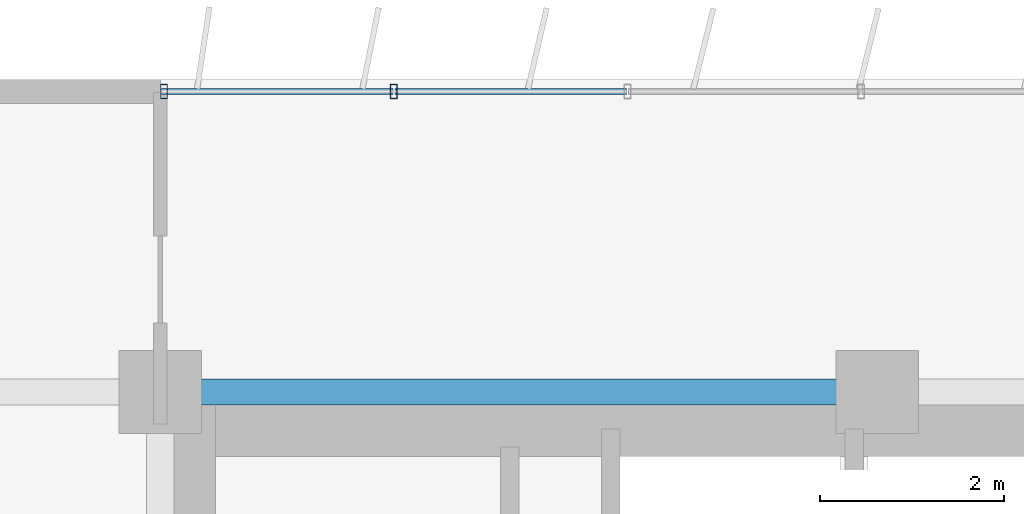
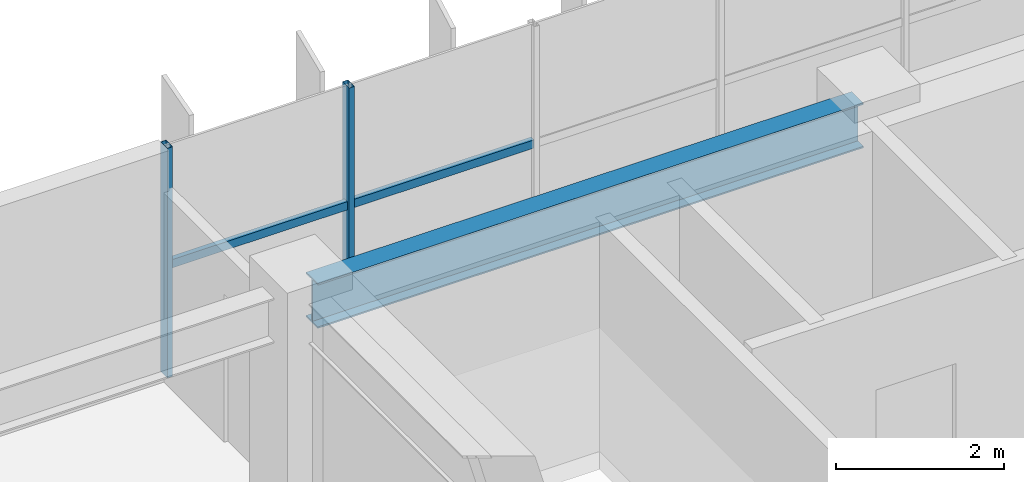
# One storey, part 5 of 21: 4 members, 1 beam, 1 element without a shape of its own.
"""IFC4 building model written with IfcOpenShell, lengths in metres."""

import ifcopenshell
import ifcopenshell.guid

model = None  # the IFC model being written
_history = None  # IfcOwnerHistory: only IFC2X3 demands one
_inside = {}  # id of a spatial element -> (the spatial element, [elements in it])
_under = {}  # id of a project, library or spatial element -> (it, [spatial elements below it])
_declared = {}  # id of a project -> (the project, [libraries it declares])
_typed = {}  # id of a type object -> (the type object, [elements of that type])
_made_of = {}  # id of a material, layer set ... -> (it, [elements and type objects made of it])


def new_model(schema):
    """Start an empty IFC model of exactly this schema.

    Asked for "IFC4X3", IfcOpenShell would pick the latest addendum, in which some entities
    have other attributes; the version numbers below select the first issue.
    IFC2X3 requires an IfcOwnerHistory on every rooted entity: one is made here for all.
    """
    global model, _history
    if schema == "IFC4X3":
        model = ifcopenshell.file(schema_version=(4, 3, 0, 0))
    else:
        model = ifcopenshell.file(schema=schema)
    _inside.clear()
    _under.clear()
    _declared.clear()
    _typed.clear()
    _made_of.clear()
    _history = None
    if model.schema == "IFC2X3":
        org = make("IfcOrganization", Name="unknown")
        user = make(
            "IfcPersonAndOrganization",
            ThePerson=make("IfcPerson", FamilyName="unknown"),
            TheOrganization=org,
        )
        app = make(
            "IfcApplication",
            ApplicationDeveloper=org,
            Version="unknown",
            ApplicationFullName="unknown",
            ApplicationIdentifier="unknown",
        )
        _history = make(
            "IfcOwnerHistory",
            OwningUser=user,
            OwningApplication=app,
            ChangeAction="ADDED",
            CreationDate=0,
        )
    return model


def make(cls, **values):
    """One entity of the class cls with the attributes given. An attribute that is None is left unset."""
    return model.create_entity(
        cls, **{name: value for name, value in values.items() if value is not None}
    )


def rooted(cls, **values):
    """An entity with a GlobalId (a new one), such as an element, a storey or a relation."""
    return make(cls, GlobalId=ifcopenshell.guid.new(), OwnerHistory=_history, **values)


def si_unit(unit_type, name, prefix=None):
    """IfcSIUnit, for example si_unit("LENGTHUNIT", "METRE", prefix="MILLI")."""
    return make("IfcSIUnit", UnitType=unit_type, Prefix=prefix, Name=name)


def assignment(units):
    """IfcUnitAssignment: the units of a project."""
    return None if units is None else make("IfcUnitAssignment", Units=units)


def point(xyz):
    """IfcCartesianPoint."""
    return None if xyz is None else make("IfcCartesianPoint", Coordinates=xyz)


def direction(xyz):
    """IfcDirection."""
    return None if xyz is None else make("IfcDirection", DirectionRatios=xyz)


def frame(location, z_axis=None, x_axis=None):
    """IfcAxis2Placement3D, a coordinate frame: its origin and axes. An axis left out is left unset."""
    return make(
        "IfcAxis2Placement3D",
        Location=point(location),
        Axis=direction(z_axis),
        RefDirection=direction(x_axis),
    )


def frame_2d(location, x_axis=None):
    """IfcAxis2Placement2D, a coordinate frame in the plane: its origin and x axis."""
    return make(
        "IfcAxis2Placement2D", Location=point(location), RefDirection=direction(x_axis)
    )


def origin():
    """The frame at (0, 0, 0) with its axes left unset."""
    return frame((0.0, 0.0, 0.0))


def origin_2d():
    """The frame at (0, 0) in the plane with its x axis left unset."""
    return frame_2d((0.0, 0.0))


def place(relative_to, where):
    """IfcLocalPlacement: puts the frame where relative to a parent placement (None: the world)."""
    return make(
        "IfcLocalPlacement", PlacementRelTo=relative_to, RelativePlacement=where
    )


def context(
    kind, dimensions, precision=None, world=None, true_north=None, identifier=None
):
    """IfcGeometricRepresentationContext, for example the 3D "Model" context."""
    return make(
        "IfcGeometricRepresentationContext",
        ContextIdentifier=identifier,
        ContextType=kind,
        CoordinateSpaceDimension=dimensions,
        Precision=precision,
        WorldCoordinateSystem=world,
        TrueNorth=true_north,
    )


def subcontext(parent, identifier, kind, view, scale=None):
    """IfcGeometricRepresentationSubContext, for example "Body" below "Model"."""
    return make(
        "IfcGeometricRepresentationSubContext",
        ContextIdentifier=identifier,
        ContextType=kind,
        ParentContext=parent,
        TargetScale=scale,
        TargetView=view,
    )


def project(units=None, contexts=None):
    """IfcProject with its units and contexts."""
    return rooted(
        "IfcProject",
        Name="project",
        RepresentationContexts=contexts,
        UnitsInContext=assignment(units),
    )


def spatial(cls, under=None, at=None, **own):
    """A site, building, storey or space (cls), placed at a placement, below another one or the project."""
    s = rooted(cls, ObjectPlacement=at, **own)
    if under is not None:
        _under.setdefault(under.id(), (under, []))[1].append(s)
    return s


def profile(cls, at=None, kind="AREA", **sizes):
    """A parametric profile (cls). Its sizes go by their IFC names, for example OverallWidth=200.0."""
    return make(cls, ProfileType=kind, Position=at, **sizes)


def hollow_rectangle(**sizes):
    """IfcRectangleHollowProfileDef."""
    return profile("IfcRectangleHollowProfileDef", **sizes)


def i_section(**sizes):
    """IfcIShapeProfileDef."""
    return profile("IfcIShapeProfileDef", **sizes)


def extrude(swept, where, along, depth):
    """IfcExtrudedAreaSolid: the profile swept, set in the frame where, extruded along a direction by depth."""
    return make(
        "IfcExtrudedAreaSolid",
        SweptArea=swept,
        Position=where,
        ExtrudedDirection=direction(along),
        Depth=depth,
    )


def shape(context_of_items, identifier, shape_type, items):
    """IfcShapeRepresentation: the items that make up one representation, for example the "Body"."""
    return make(
        "IfcShapeRepresentation",
        ContextOfItems=context_of_items,
        RepresentationIdentifier=identifier,
        RepresentationType=shape_type,
        Items=items,
    )


def source(mapping_origin, context_of_items, identifier, shape_type, items):
    """IfcRepresentationMap: a shape defined once, which mapped items show again and again."""
    return make(
        "IfcRepresentationMap",
        MappingOrigin=mapping_origin,
        MappedRepresentation=shape(context_of_items, identifier, shape_type, items),
    )


def transform(
    local_origin,
    x_axis=None,
    y_axis=None,
    z_axis=None,
    scale=None,
    scale2=None,
    scale3=None,
    uniform=True,
):
    """IfcCartesianTransformationOperator3D, or its non-uniform kind. x_axis, y_axis, z_axis: its Axis1, 2, 3."""
    if uniform:
        return make(
            "IfcCartesianTransformationOperator3D",
            Axis1=direction(x_axis),
            Axis2=direction(y_axis),
            LocalOrigin=point(local_origin),
            Scale=scale,
            Axis3=direction(z_axis),
        )
    return make(
        "IfcCartesianTransformationOperator3DnonUniform",
        Axis1=direction(x_axis),
        Axis2=direction(y_axis),
        LocalOrigin=point(local_origin),
        Scale=scale,
        Axis3=direction(z_axis),
        Scale2=scale2,
        Scale3=scale3,
    )


def mapped(mapping_source, mapping_target):
    """IfcMappedItem: shows the shape of a source again, moved by a transform."""
    return make(
        "IfcMappedItem", MappingSource=mapping_source, MappingTarget=mapping_target
    )


def material(Name=None, Category=None):
    """IfcMaterial."""
    return make("IfcMaterial", Name=Name, Category=Category)


def material_profile(
    of_material, cross_section, Name=None, Category=None, Priority=None
):
    """IfcMaterialProfile: a cross section and its material."""
    return make(
        "IfcMaterialProfile",
        Name=Name,
        Material=of_material,
        Profile=cross_section,
        Priority=Priority,
        Category=Category,
    )


def profile_set(profiles, Name=None, composite=None):
    """IfcMaterialProfileSet."""
    return make(
        "IfcMaterialProfileSet",
        Name=Name,
        MaterialProfiles=profiles,
        CompositeProfile=composite,
    )


def made_of(thing, what):
    """Note that an element or type object is made of a material, layer set ...; save() writes the relation."""
    if what is not None:
        _made_of.setdefault(what.id(), (what, []))[1].append(thing)
    return thing


def type_object(cls, material=None, **own):
    """A type object (cls), such as IfcWallType, which elements share."""
    return made_of(rooted(cls, **own), material)


def element(
    cls,
    number,
    at=None,
    inside=None,
    cuts=None,
    type_object=None,
    material=None,
    context=None,
    identifier="Body",
    shape_type=None,
    held_by="IfcProductDefinitionShape",
    body=None,
    shapes=None,
    **own,
):
    """One element of the class cls, such as IfcWall. Its Tag is "e" and its number.

    at: its placement. inside: the storey or other place that contains it. cuts: it is an
    opening in that element (IfcRelVoidsElement). A single representation is given by context,
    identifier, shape_type and body (its items); several are given by shapes. held_by: the class
    of the entity that holds the representations. save() writes the other relations.
    """
    e = rooted(cls, Tag="e%d" % number, ObjectPlacement=at, **own)
    if body is not None:
        shapes = [shape(context, identifier, shape_type, body)]
    if shapes is not None:
        e.Representation = make(held_by, Representations=shapes)
    if inside is not None:
        _inside.setdefault(inside.id(), (inside, []))[1].append(e)
    if cuts is not None:
        rooted(
            "IfcRelVoidsElement", RelatingBuildingElement=cuts, RelatedOpeningElement=e
        )
    if type_object is not None:
        _typed.setdefault(type_object.id(), (type_object, []))[1].append(e)
    return made_of(e, material)


def aggregate(whole, parts):
    """IfcRelAggregates: a whole, such as a stair, and the parts it consists of."""
    return rooted("IfcRelAggregates", RelatingObject=whole, RelatedObjects=parts)


def save(model, path):
    """Write the relations noted so far, then the file.

    IfcRelAggregates (storeys below a building ...), IfcRelContainedInSpatialStructure (elements
    in a storey), IfcRelDefinesByType, IfcRelAssociatesMaterial and IfcRelDeclares: one each for
    every whole, place, type object, material and project.
    """
    for whole, parts in _under.values():
        aggregate(whole, parts)
    for where, things in _inside.values():
        rooted(
            "IfcRelContainedInSpatialStructure",
            RelatedElements=things,
            RelatingStructure=where,
        )
    for kind, things in _typed.values():
        rooted("IfcRelDefinesByType", RelatedObjects=things, RelatingType=kind)
    for what, things in _made_of.values():
        rooted("IfcRelAssociatesMaterial", RelatedObjects=things, RelatingMaterial=what)
    for by, libraries in _declared.values():
        rooted("IfcRelDeclares", RelatingContext=by, RelatedDefinitions=libraries)
    model.write(path)


model = new_model("IFC4")

# Units and contexts
model_context = context("Model", 3, precision=1e-05, world=origin(), true_north=direction((0.0, 1.0)))
body_context = subcontext(model_context, "Body", "Model", "MODEL_VIEW")
ifc_project = project(units=[si_unit("LENGTHUNIT", "METRE"), si_unit("AREAUNIT", "SQUARE_METRE"), si_unit("VOLUMEUNIT", "CUBIC_METRE"), si_unit("PLANEANGLEUNIT", "RADIAN"), si_unit("MASSUNIT", "GRAM", prefix="KILO")], contexts=[model_context])

# Site, building, storey
site_placement = place(None, origin())
site = spatial("IfcSite", under=ifc_project, at=site_placement, CompositionType="ELEMENT")
building_placement = place(site_placement, origin())
building = spatial("IfcBuilding", under=site, at=building_placement, Name="Trelvane Seafront Commons", CompositionType="ELEMENT")
storey_placement = place(building_placement, frame((0.0, 0.0, 34.300048828125)))
storey = spatial("IfcBuildingStorey", under=building, at=storey_placement, Name="L08", CompositionType="ELEMENT", Elevation=34.300048828125)

# Beam
ifc_material_1 = material(Name="Steel SM355 (S355)", Category="steel")
ifc_material_profile_1 = material_profile(ifc_material_1, i_section(OverallWidth=0.280029296875, OverallDepth=0.64990234375, WebThickness=0.012939453125, FlangeThickness=0.02197265625, at=origin_2d()), Name="H-650x280x13x22")
ifc_profile_set_1 = profile_set([ifc_material_profile_1], Name="Steel SM355 (S355)")
beam_type = type_object("IfcBeamType", Name="STR-BM-H650", PredefinedType="BEAM", material=ifc_profile_set_1)
shared_shape_1 = source(origin(), body_context, "Body", "SweptSolid", [
    extrude(i_section(OverallWidth=0.280029296875, OverallDepth=0.64990234375, WebThickness=0.012939453125, FlangeThickness=0.02197265625, at=origin_2d()), origin(), (0.0, 0.0, 1.0), 7.5),
])
beam_placement = place(storey_placement, frame((15.75, 45.10009765625, 3.014892578125), z_axis=(1.0, 0.0, 0.0), x_axis=(0.0, 1.0, 0.0)))
element("IfcBeam", 1, at=beam_placement, inside=storey, type_object=beam_type, Name="L08 Primary Girder G-30", PredefinedType="BEAM", context=body_context, shape_type="MappedRepresentation", body=[
    mapped(shared_shape_1, transform((0.0, 0.0, 0.0), x_axis=(1.0, 0.0, 0.0), y_axis=(0.0, 1.0, 0.0), z_axis=(0.0, 0.0, 1.0), scale=1.0)),
])

# Curtain wall, members
ifc_material_2 = material(Name="Anodised pale-silver aluminium", Category="aluminium")
curtain_wall_type = type_object("IfcCurtainWallType", Name="ARCH-CW2-LOWTOWER", PredefinedType="NOTDEFINED", material=ifc_material_2)
curtain_wall_placement = place(storey_placement, origin())
curtain_wall = element("IfcCurtainWall", 2, at=curtain_wall_placement, inside=storey, type_object=curtain_wall_type, Name="CW-L08-0032", PredefinedType="NOTDEFINED")
ifc_material_profile_2 = material_profile(ifc_material_2, hollow_rectangle(XDim=0.070068359375, YDim=0.1201171875, WallThickness=0.00390625, at=origin_2d()), Name="TRAN-70x120x4")
ifc_profile_set_2 = profile_set([ifc_material_profile_2], Name="Anodised pale-silver aluminium")
member_type_1 = type_object("IfcMemberType", Name="ARCH-CW-TRAN-120", PredefinedType="USERDEFINED", material=ifc_profile_set_2)
shared_shape_2 = source(origin(), body_context, "Body", "SweptSolid", [
    extrude(hollow_rectangle(XDim=0.070068359375, YDim=0.1201171875, WallThickness=0.00390625, at=origin_2d()), origin(), (0.0, 0.0, 1.0), 2.51708984375),
])
member_1_placement = place(storey_placement, frame((15.612060546875, 48.3701171875, 1.60302734375), z_axis=(1.0, 0.0, 0.0), x_axis=(0.0, 1.0, 0.0)))
member_1 = element("IfcMember", 3, at=member_1_placement, type_object=member_type_1, Name="CW-L08-0032-T00", ObjectType="TRANSOM", PredefinedType="USERDEFINED", context=body_context, shape_type="MappedRepresentation", body=[
    mapped(shared_shape_2, transform((0.0, 0.0, 0.0), x_axis=(1.0, 0.0, 0.0), y_axis=(0.0, 1.0, 0.0), z_axis=(0.0, 0.0, 1.0), scale=1.0)),
])
member_2_placement = place(storey_placement, frame((18.1533203125, 48.3701171875, 1.60302734375), z_axis=(1.0, 0.0, 0.0), x_axis=(0.0, 1.0, 0.0)))
member_2 = element("IfcMember", 4, at=member_2_placement, type_object=member_type_1, Name="CW-L08-0032-T01", ObjectType="TRANSOM", PredefinedType="USERDEFINED", context=body_context, shape_type="MappedRepresentation", body=[
    mapped(shared_shape_2, transform((0.0, 0.0, 0.0), x_axis=(1.0, 0.0, 0.0), y_axis=(0.0, 1.0, 0.0), z_axis=(0.0, 0.0, 1.0), scale=1.0)),
])
ifc_material_profile_3 = material_profile(ifc_material_2, hollow_rectangle(XDim=0.074951171875, YDim=0.159912109375, WallThickness=0.00390625, at=origin_2d()), Name="MULL-75x160x4")
ifc_profile_set_3 = profile_set([ifc_material_profile_3], Name="Anodised pale-silver aluminium")
member_type_2 = type_object("IfcMemberType", Name="ARCH-CW-MULL-160", PredefinedType="MULLION", material=ifc_profile_set_3)
shared_shape_3 = source(origin(), body_context, "Body", "SweptSolid", [
    extrude(hollow_rectangle(XDim=0.074951171875, YDim=0.159912109375, WallThickness=0.00390625, at=origin_2d()), origin(), (0.0, 0.0, 1.0), 3.33984375),
])
member_3_placement = place(storey_placement, frame((15.639892578125, 48.3701171875, 0.0), z_axis=(0.0, 0.0, 1.0), x_axis=(1.0, 0.0, 0.0)))
member_3 = element("IfcMember", 5, at=member_3_placement, type_object=member_type_2, Name="CW-L08-0032-M00", PredefinedType="MULLION", context=body_context, shape_type="MappedRepresentation", body=[
    mapped(shared_shape_3, transform((0.0, 0.0, 0.0), x_axis=(1.0, 0.0, 0.0), y_axis=(0.0, 1.0, 0.0), z_axis=(0.0, 0.0, 1.0), scale=1.0)),
])
member_4_placement = place(storey_placement, frame((18.14111328125, 48.3701171875, 0.0), z_axis=(0.0, 0.0, 1.0), x_axis=(1.0, 0.0, 0.0)))
member_4 = element("IfcMember", 6, at=member_4_placement, type_object=member_type_2, Name="CW-L08-0032-M01", PredefinedType="MULLION", context=body_context, shape_type="MappedRepresentation", body=[
    mapped(shared_shape_3, transform((0.0, 0.0, 0.0), x_axis=(1.0, 0.0, 0.0), y_axis=(0.0, 1.0, 0.0), z_axis=(0.0, 0.0, 1.0), scale=1.0)),
])
aggregate(curtain_wall, [member_3, member_4, member_1, member_2])

save(model, "model.ifc")
